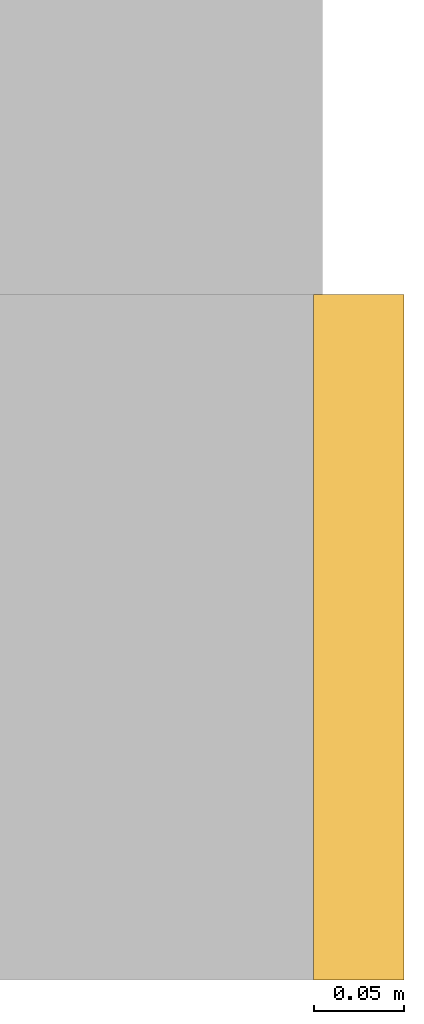
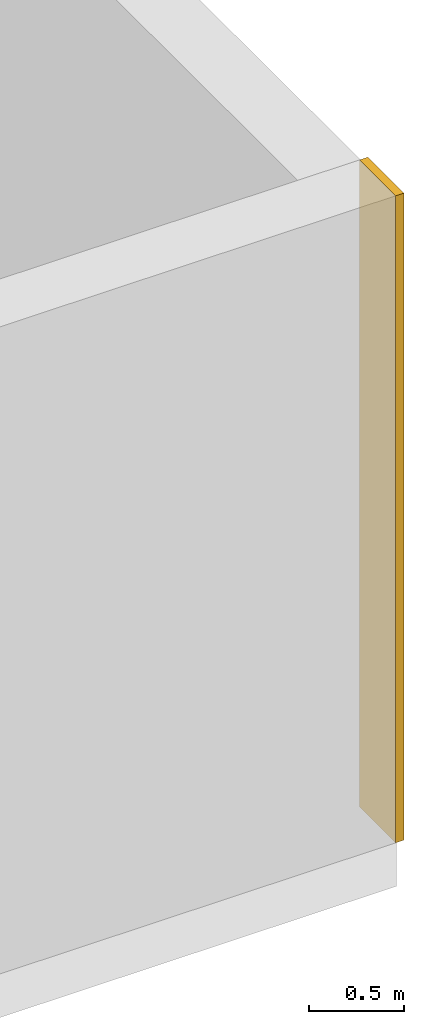
# One storey, part 20 of 21: 1 covering.
"""IFC4 building model written with IfcOpenShell, lengths in metres."""

from ifc_helpers import new_model, si_unit, direction, frame, frame_2d, origin, place, context, subcontext, project, spatial, rectangle, extrude, material, layer, layer_set, type_object, element, save


model = new_model("IFC4")

# Units and contexts
model_context = context("Model", 3, precision=1e-05, world=origin(), true_north=direction((0.0, 1.0)))
body_context = subcontext(model_context, "Body", "Model", "MODEL_VIEW")
ifc_project = project(units=[si_unit("LENGTHUNIT", "METRE"), si_unit("AREAUNIT", "SQUARE_METRE"), si_unit("VOLUMEUNIT", "CUBIC_METRE"), si_unit("PLANEANGLEUNIT", "RADIAN"), si_unit("MASSUNIT", "GRAM", prefix="KILO")], contexts=[model_context])

# Site, building, storey
site_placement = place(None, origin())
site = spatial("IfcSite", under=ifc_project, at=site_placement, CompositionType="ELEMENT")
building_placement = place(site_placement, origin())
building = spatial("IfcBuilding", under=site, at=building_placement, Name="Cairnveth Concourse Tower", CompositionType="ELEMENT")
storey_placement = place(building_placement, frame((0.0, 0.0, 14.5)))
storey = spatial("IfcBuildingStorey", under=building, at=storey_placement, Name="L03", CompositionType="ELEMENT", Elevation=14.5)

# Covering
ifc_material = material(Name="Dressed Melbourne Bluestone Cladding", Category="masonry")
ifc_layer = layer(ifc_material, 0.050048828125)
ifc_layer_set = layer_set([ifc_layer], Name="Dressed Melbourne Bluestone Cladding")
covering_type = type_object("IfcCoveringType", Name="DRESSED BLUESTONE PLINTH CLADDING 50", PredefinedType="CLADDING", material=ifc_layer_set)
covering_placement = place(storey_placement, frame((85.52001953125, 12.3798828125, 0.0), z_axis=(0.0, 0.0, 1.0), x_axis=(0.0, -1.0, 0.0)))
element("IfcCovering", 1, at=covering_placement, inside=storey, type_object=covering_type, Name="Melbourne Bluestone Corner Quoin L03-17", PredefinedType="CLADDING", context=body_context, shape_type="SweptSolid", body=[
    extrude(rectangle(XDim=0.3798828125, YDim=0.050048828125, at=frame_2d((0.18994140625, 0.0))), origin(), (0.0, 0.0, 1.0), 4.14990234375),
])

save(model, "model.ifc")
